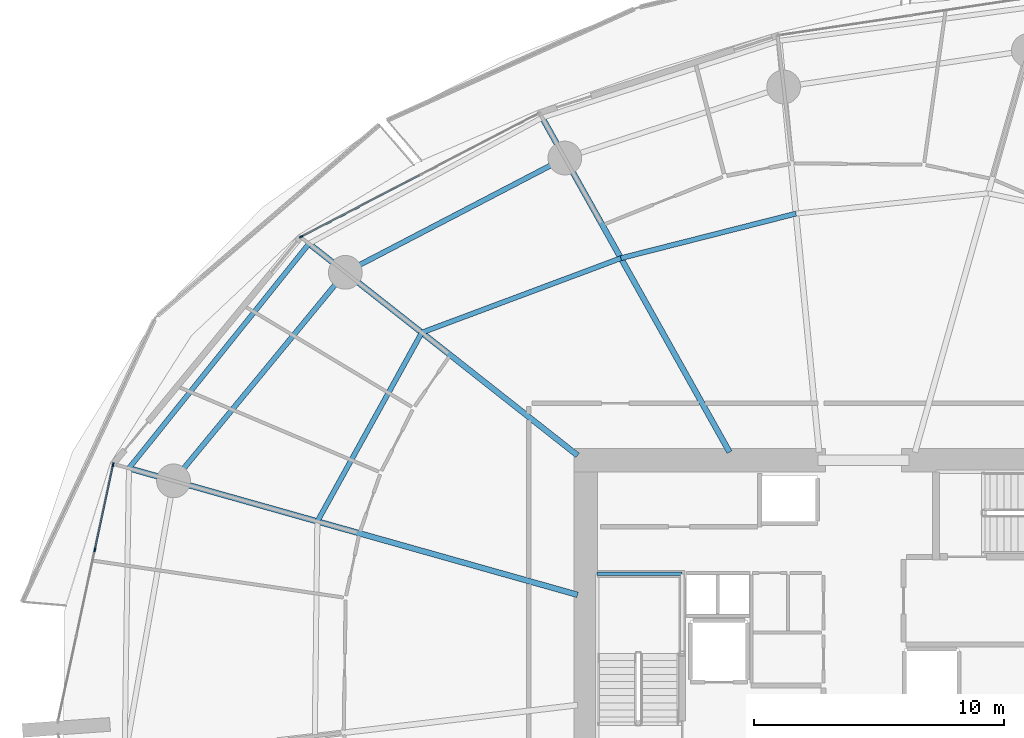
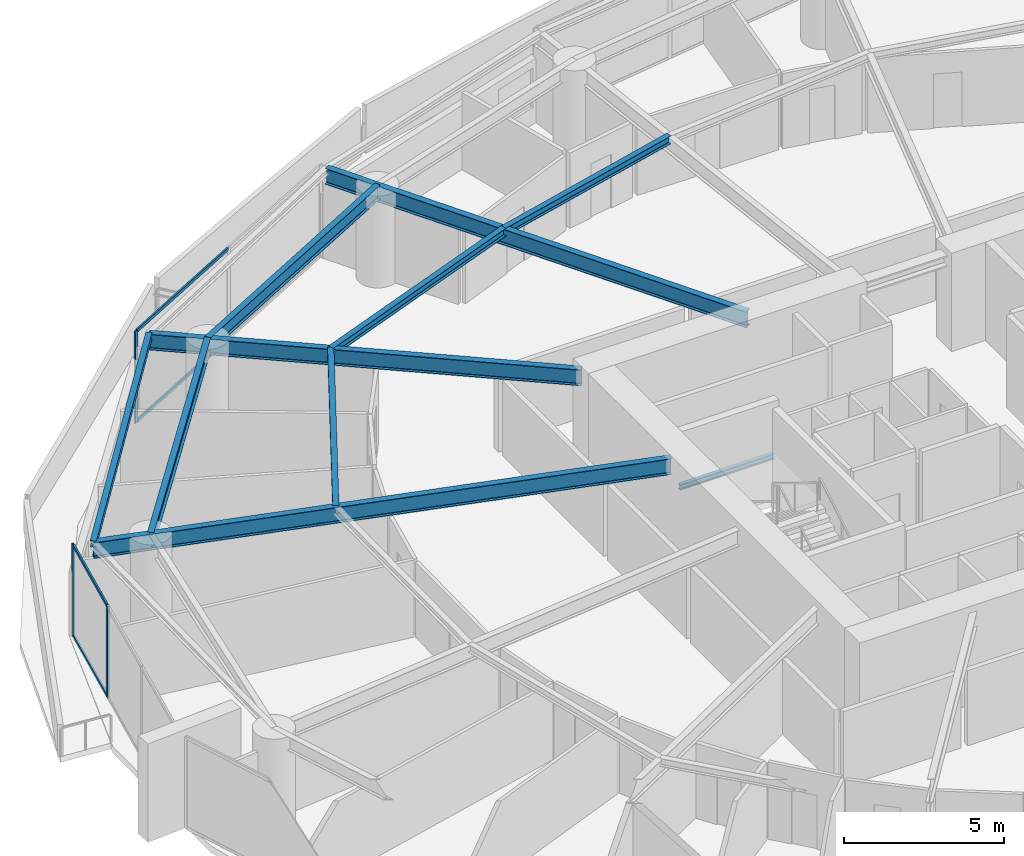
# One storey, part 12 of 31: 10 beams, 7 members, 2 elements without a shape of their own.
"""IFC4 building model written with IfcOpenShell, lengths in metres."""

import ifcopenshell
import ifcopenshell.guid

model = None  # the IFC model being written
_history = None  # IfcOwnerHistory: only IFC2X3 demands one
_inside = {}  # id of a spatial element -> (the spatial element, [elements in it])
_under = {}  # id of a project, library or spatial element -> (it, [spatial elements below it])
_declared = {}  # id of a project -> (the project, [libraries it declares])
_typed = {}  # id of a type object -> (the type object, [elements of that type])
_made_of = {}  # id of a material, layer set ... -> (it, [elements and type objects made of it])


def new_model(schema):
    """Start an empty IFC model of exactly this schema.

    Asked for "IFC4X3", IfcOpenShell would pick the latest addendum, in which some entities
    have other attributes; the version numbers below select the first issue.
    IFC2X3 requires an IfcOwnerHistory on every rooted entity: one is made here for all.
    """
    global model, _history
    if schema == "IFC4X3":
        model = ifcopenshell.file(schema_version=(4, 3, 0, 0))
    else:
        model = ifcopenshell.file(schema=schema)
    _inside.clear()
    _under.clear()
    _declared.clear()
    _typed.clear()
    _made_of.clear()
    _history = None
    if model.schema == "IFC2X3":
        org = make("IfcOrganization", Name="unknown")
        user = make(
            "IfcPersonAndOrganization",
            ThePerson=make("IfcPerson", FamilyName="unknown"),
            TheOrganization=org,
        )
        app = make(
            "IfcApplication",
            ApplicationDeveloper=org,
            Version="unknown",
            ApplicationFullName="unknown",
            ApplicationIdentifier="unknown",
        )
        _history = make(
            "IfcOwnerHistory",
            OwningUser=user,
            OwningApplication=app,
            ChangeAction="ADDED",
            CreationDate=0,
        )
    return model


def make(cls, **values):
    """One entity of the class cls with the attributes given. An attribute that is None is left unset."""
    return model.create_entity(
        cls, **{name: value for name, value in values.items() if value is not None}
    )


def rooted(cls, **values):
    """An entity with a GlobalId (a new one), such as an element, a storey or a relation."""
    return make(cls, GlobalId=ifcopenshell.guid.new(), OwnerHistory=_history, **values)


def si_unit(unit_type, name, prefix=None):
    """IfcSIUnit, for example si_unit("LENGTHUNIT", "METRE", prefix="MILLI")."""
    return make("IfcSIUnit", UnitType=unit_type, Prefix=prefix, Name=name)


def assignment(units):
    """IfcUnitAssignment: the units of a project."""
    return None if units is None else make("IfcUnitAssignment", Units=units)


def point(xyz):
    """IfcCartesianPoint."""
    return None if xyz is None else make("IfcCartesianPoint", Coordinates=xyz)


def direction(xyz):
    """IfcDirection."""
    return None if xyz is None else make("IfcDirection", DirectionRatios=xyz)


def frame(location, z_axis=None, x_axis=None):
    """IfcAxis2Placement3D, a coordinate frame: its origin and axes. An axis left out is left unset."""
    return make(
        "IfcAxis2Placement3D",
        Location=point(location),
        Axis=direction(z_axis),
        RefDirection=direction(x_axis),
    )


def frame_2d(location, x_axis=None):
    """IfcAxis2Placement2D, a coordinate frame in the plane: its origin and x axis."""
    return make(
        "IfcAxis2Placement2D", Location=point(location), RefDirection=direction(x_axis)
    )


def origin():
    """The frame at (0, 0, 0) with its axes left unset."""
    return frame((0.0, 0.0, 0.0))


def origin_2d():
    """The frame at (0, 0) in the plane with its x axis left unset."""
    return frame_2d((0.0, 0.0))


def place(relative_to, where):
    """IfcLocalPlacement: puts the frame where relative to a parent placement (None: the world)."""
    return make(
        "IfcLocalPlacement", PlacementRelTo=relative_to, RelativePlacement=where
    )


def context(
    kind, dimensions, precision=None, world=None, true_north=None, identifier=None
):
    """IfcGeometricRepresentationContext, for example the 3D "Model" context."""
    return make(
        "IfcGeometricRepresentationContext",
        ContextIdentifier=identifier,
        ContextType=kind,
        CoordinateSpaceDimension=dimensions,
        Precision=precision,
        WorldCoordinateSystem=world,
        TrueNorth=true_north,
    )


def subcontext(parent, identifier, kind, view, scale=None):
    """IfcGeometricRepresentationSubContext, for example "Body" below "Model"."""
    return make(
        "IfcGeometricRepresentationSubContext",
        ContextIdentifier=identifier,
        ContextType=kind,
        ParentContext=parent,
        TargetScale=scale,
        TargetView=view,
    )


def project(units=None, contexts=None):
    """IfcProject with its units and contexts."""
    return rooted(
        "IfcProject",
        Name="project",
        RepresentationContexts=contexts,
        UnitsInContext=assignment(units),
    )


def spatial(cls, under=None, at=None, **own):
    """A site, building, storey or space (cls), placed at a placement, below another one or the project."""
    s = rooted(cls, ObjectPlacement=at, **own)
    if under is not None:
        _under.setdefault(under.id(), (under, []))[1].append(s)
    return s


def profile(cls, at=None, kind="AREA", **sizes):
    """A parametric profile (cls). Its sizes go by their IFC names, for example OverallWidth=200.0."""
    return make(cls, ProfileType=kind, Position=at, **sizes)


def rectangle(**sizes):
    """IfcRectangleProfileDef."""
    return profile("IfcRectangleProfileDef", **sizes)


def i_section(**sizes):
    """IfcIShapeProfileDef."""
    return profile("IfcIShapeProfileDef", **sizes)


def extrude(swept, where, along, depth):
    """IfcExtrudedAreaSolid: the profile swept, set in the frame where, extruded along a direction by depth."""
    return make(
        "IfcExtrudedAreaSolid",
        SweptArea=swept,
        Position=where,
        ExtrudedDirection=direction(along),
        Depth=depth,
    )


def shape(context_of_items, identifier, shape_type, items):
    """IfcShapeRepresentation: the items that make up one representation, for example the "Body"."""
    return make(
        "IfcShapeRepresentation",
        ContextOfItems=context_of_items,
        RepresentationIdentifier=identifier,
        RepresentationType=shape_type,
        Items=items,
    )


def material(Name=None, Category=None):
    """IfcMaterial."""
    return make("IfcMaterial", Name=Name, Category=Category)


def layer(
    of_material, thickness, ventilated=None, Name=None, Category=None, Priority=None
):
    """IfcMaterialLayer: one layer of a wall or slab, of a material (None: an air gap)."""
    return make(
        "IfcMaterialLayer",
        Material=of_material,
        LayerThickness=thickness,
        IsVentilated=ventilated,
        Name=Name,
        Category=Category,
        Priority=Priority,
    )


def layer_set(layers, Name=None):
    """IfcMaterialLayerSet."""
    return make("IfcMaterialLayerSet", MaterialLayers=layers, LayerSetName=Name)


def material_profile(
    of_material, cross_section, Name=None, Category=None, Priority=None
):
    """IfcMaterialProfile: a cross section and its material."""
    return make(
        "IfcMaterialProfile",
        Name=Name,
        Material=of_material,
        Profile=cross_section,
        Priority=Priority,
        Category=Category,
    )


def profile_set(profiles, Name=None, composite=None):
    """IfcMaterialProfileSet."""
    return make(
        "IfcMaterialProfileSet",
        Name=Name,
        MaterialProfiles=profiles,
        CompositeProfile=composite,
    )


def made_of(thing, what):
    """Note that an element or type object is made of a material, layer set ...; save() writes the relation."""
    if what is not None:
        _made_of.setdefault(what.id(), (what, []))[1].append(thing)
    return thing


def type_object(cls, material=None, **own):
    """A type object (cls), such as IfcWallType, which elements share."""
    return made_of(rooted(cls, **own), material)


def element(
    cls,
    number,
    at=None,
    inside=None,
    cuts=None,
    type_object=None,
    material=None,
    context=None,
    identifier="Body",
    shape_type=None,
    held_by="IfcProductDefinitionShape",
    body=None,
    shapes=None,
    **own,
):
    """One element of the class cls, such as IfcWall. Its Tag is "e" and its number.

    at: its placement. inside: the storey or other place that contains it. cuts: it is an
    opening in that element (IfcRelVoidsElement). A single representation is given by context,
    identifier, shape_type and body (its items); several are given by shapes. held_by: the class
    of the entity that holds the representations. save() writes the other relations.
    """
    e = rooted(cls, Tag="e%d" % number, ObjectPlacement=at, **own)
    if body is not None:
        shapes = [shape(context, identifier, shape_type, body)]
    if shapes is not None:
        e.Representation = make(held_by, Representations=shapes)
    if inside is not None:
        _inside.setdefault(inside.id(), (inside, []))[1].append(e)
    if cuts is not None:
        rooted(
            "IfcRelVoidsElement", RelatingBuildingElement=cuts, RelatedOpeningElement=e
        )
    if type_object is not None:
        _typed.setdefault(type_object.id(), (type_object, []))[1].append(e)
    return made_of(e, material)


def aggregate(whole, parts):
    """IfcRelAggregates: a whole, such as a stair, and the parts it consists of."""
    return rooted("IfcRelAggregates", RelatingObject=whole, RelatedObjects=parts)


def save(model, path):
    """Write the relations noted so far, then the file.

    IfcRelAggregates (storeys below a building ...), IfcRelContainedInSpatialStructure (elements
    in a storey), IfcRelDefinesByType, IfcRelAssociatesMaterial and IfcRelDeclares: one each for
    every whole, place, type object, material and project.
    """
    for whole, parts in _under.values():
        aggregate(whole, parts)
    for where, things in _inside.values():
        rooted(
            "IfcRelContainedInSpatialStructure",
            RelatedElements=things,
            RelatingStructure=where,
        )
    for kind, things in _typed.values():
        rooted("IfcRelDefinesByType", RelatedObjects=things, RelatingType=kind)
    for what, things in _made_of.values():
        rooted("IfcRelAssociatesMaterial", RelatedObjects=things, RelatingMaterial=what)
    for by, libraries in _declared.values():
        rooted("IfcRelDeclares", RelatingContext=by, RelatedDefinitions=libraries)
    model.write(path)


model = new_model("IFC4")

# Units and contexts
model_context = context("Model", 3, precision=1e-05, world=origin(), true_north=direction((0.0, 1.0)))
body_context = subcontext(model_context, "Body", "Model", "MODEL_VIEW")
ifc_project = project(units=[si_unit("LENGTHUNIT", "METRE"), si_unit("AREAUNIT", "SQUARE_METRE"), si_unit("VOLUMEUNIT", "CUBIC_METRE"), si_unit("PLANEANGLEUNIT", "RADIAN"), si_unit("MASSUNIT", "GRAM", prefix="KILO")], contexts=[model_context])

# Site, building, storey
site_placement = place(None, origin())
site = spatial("IfcSite", under=ifc_project, at=site_placement, CompositionType="ELEMENT")
building_placement = place(site_placement, origin())
building = spatial("IfcBuilding", under=site, at=building_placement, Name="Kazma Halo Residences", CompositionType="ELEMENT")
storey_placement = place(building_placement, frame((0.0, 0.0, 30.14990234375)))
storey = spatial("IfcBuildingStorey", under=building, at=storey_placement, Name="L06", CompositionType="ELEMENT", Elevation=30.14990234375)

# Beams
ifc_material_1 = material(Name="Steel S355", Category="steel")
ifc_material_profile_1 = material_profile(ifc_material_1, i_section(OverallWidth=0.201904296875, OverallDepth=0.2470703125, WebThickness=0.00732421875, FlangeThickness=0.010986328125, FilletRadius=0.011962890625, at=origin_2d()), Name="W250x49.1")
ifc_profile_set_1 = profile_set([ifc_material_profile_1], Name="Steel S355")
beam_type_1 = type_object("IfcBeamType", Name="BM-BAL-CANT", PredefinedType="BEAM", material=ifc_profile_set_1)
beam_1_placement = place(storey_placement, frame((26.271484375, 59.12939453125, 3.376708984375), z_axis=(-0.625476617708, -0.780242911343, 0.0), x_axis=(0.780242911343, -0.625476617708, 0.0)))
element("IfcBeam", 1, at=beam_1_placement, inside=storey, type_object=beam_type_1, Name="L06 wave-balcony tie beam 06", PredefinedType="BEAM", context=body_context, shape_type="SweptSolid", body=[
    extrude(i_section(OverallWidth=0.201904296875, OverallDepth=0.2470703125, WebThickness=0.00732421875, FlangeThickness=0.010986328125, FilletRadius=0.011962890625, at=origin_2d()), origin(), (0.0, 0.0, 1.0), 11.499755859375),
])
ifc_material_profile_2 = material_profile(ifc_material_1, i_section(OverallWidth=0.22802734375, OverallDepth=0.60791015625, WebThickness=0.01123046875, FlangeThickness=0.017333984375, FilletRadius=0.01806640625, at=origin_2d()), Name="W610x113")
ifc_profile_set_2 = profile_set([ifc_material_profile_2], Name="Steel S355")
beam_type_2 = type_object("IfcBeamType", Name="BM-RAD-W610", PredefinedType="BEAM", material=ifc_profile_set_2)
beam_2_placement = place(storey_placement, frame((43.07177734375, 50.800048828125, 3.196044921875), z_axis=(-0.488624239587, 0.872494328055, 0.0), x_axis=(-0.872494328055, -0.488624239587, 0.0)))
element("IfcBeam", 2, at=beam_2_placement, inside=storey, type_object=beam_type_2, Name="L06 radial floor beam 05", PredefinedType="BEAM", context=body_context, shape_type="SweptSolid", body=[
    extrude(i_section(OverallWidth=0.22802734375, OverallDepth=0.60791015625, WebThickness=0.01123046875, FlangeThickness=0.017333984375, FilletRadius=0.01806640625, at=origin_2d()), origin(), (0.0, 0.0, 1.0), 15.316650390625),
])
beam_3_placement = place(storey_placement, frame((37.0, 50.671630859375, 3.196044921875), z_axis=(-0.78531394447, 0.619097737536, 0.0), x_axis=(-0.619097737536, -0.78531394447, 0.0)))
element("IfcBeam", 3, at=beam_3_placement, inside=storey, type_object=beam_type_2, Name="L06 radial floor beam 06", PredefinedType="BEAM", context=body_context, shape_type="SweptSolid", body=[
    extrude(i_section(OverallWidth=0.22802734375, OverallDepth=0.60791015625, WebThickness=0.01123046875, FlangeThickness=0.017333984375, FilletRadius=0.01806640625, at=origin_2d()), origin(), (0.0, 0.0, 1.0), 13.661376953125),
])
beam_4_placement = place(storey_placement, frame((37.0, 45.102294921875, 3.196044921875), z_axis=(-0.962453979784, 0.271444905641, 0.0), x_axis=(-0.271444905641, -0.962453979784, 0.0)))
element("IfcBeam", 4, at=beam_4_placement, inside=storey, type_object=beam_type_2, Name="L06 radial floor beam 07", PredefinedType="BEAM", context=body_context, shape_type="SweptSolid", body=[
    extrude(i_section(OverallWidth=0.22802734375, OverallDepth=0.60791015625, WebThickness=0.01123046875, FlangeThickness=0.017333984375, FilletRadius=0.01806640625, at=origin_2d()), origin(), (0.0, 0.0, 1.0), 18.62060546875),
])
ifc_material_profile_3 = material_profile(ifc_material_1, i_section(OverallWidth=0.202880859375, OverallDepth=0.302978515625, WebThickness=0.007568359375, FlangeThickness=0.01318359375, FilletRadius=0.013916015625, at=origin_2d()), Name="W310x60")
ifc_profile_set_3 = profile_set([ifc_material_profile_3], Name="Steel S355")
beam_type_3 = type_object("IfcBeamType", Name="BM-SEC-W310A", PredefinedType="JOIST", material=ifc_profile_set_3)
beam_5_placement = place(storey_placement, frame((45.7236328125, 60.329833984375, 3.3486328125), z_axis=(-0.969127021388, -0.246561993047, 0.0), x_axis=(0.246561993047, -0.969127021388, 0.0)))
element("IfcBeam", 5, at=beam_5_placement, inside=storey, type_object=beam_type_3, Name="L06 circumferential floor joist 04", PredefinedType="JOIST", context=body_context, shape_type="SweptSolid", body=[
    extrude(i_section(OverallWidth=0.202880859375, OverallDepth=0.302978515625, WebThickness=0.007568359375, FlangeThickness=0.01318359375, FilletRadius=0.013916015625, at=origin_2d()), origin(), (0.0, 0.0, 1.0), 7.21533203125),
])
beam_6_placement = place(storey_placement, frame((38.73095703125, 58.55078125, 3.3486328125), z_axis=(-0.936676104069, -0.350196910417, 0.0), x_axis=(0.350196910417, -0.936676104069, 0.0)))
element("IfcBeam", 6, at=beam_6_placement, inside=storey, type_object=beam_type_3, Name="L06 circumferential floor joist 05", PredefinedType="JOIST", context=body_context, shape_type="SweptSolid", body=[
    extrude(i_section(OverallWidth=0.202880859375, OverallDepth=0.302978515625, WebThickness=0.007568359375, FlangeThickness=0.01318359375, FilletRadius=0.013916015625, at=origin_2d()), origin(), (0.0, 0.0, 1.0), 8.4912109375),
])
beam_7_placement = place(storey_placement, frame((30.77734375, 55.5771484375, 3.3486328125), z_axis=(-0.483953872195, -0.875093509054, 0.0), x_axis=(0.875093509054, -0.483953872195, 0.0)))
element("IfcBeam", 7, at=beam_7_placement, inside=storey, type_object=beam_type_3, Name="L06 circumferential floor joist 06", PredefinedType="JOIST", context=body_context, shape_type="SweptSolid", body=[
    extrude(i_section(OverallWidth=0.202880859375, OverallDepth=0.302978515625, WebThickness=0.007568359375, FlangeThickness=0.01318359375, FilletRadius=0.013916015625, at=origin_2d()), origin(), (0.0, 0.0, 1.0), 8.619873046875),
])
ifc_material_profile_4 = material_profile(ifc_material_1, i_section(OverallWidth=0.208984375, OverallDepth=0.532958984375, WebThickness=0.01025390625, FlangeThickness=0.015625, FilletRadius=0.01611328125, at=origin_2d()), Name="W530x92")
ifc_profile_set_4 = profile_set([ifc_material_profile_4], Name="Steel S355")
beam_type_4 = type_object("IfcBeamType", Name="BM-SPN-W530", PredefinedType="BEAM", material=ifc_profile_set_4)
beam_8_placement = place(storey_placement, frame((36.49169921875, 62.549560546875, 3.233642578125), z_axis=(-0.886956241699, -0.461853467358, 0.0), x_axis=(0.461853467358, -0.886956241699, 0.0)))
element("IfcBeam", 8, at=beam_8_placement, inside=storey, type_object=beam_type_4, Name="L06 perimeter ring beam 05", PredefinedType="BEAM", context=body_context, shape_type="SweptSolid", body=[
    extrude(i_section(OverallWidth=0.208984375, OverallDepth=0.532958984375, WebThickness=0.01025390625, FlangeThickness=0.015625, FilletRadius=0.01611328125, at=origin_2d()), origin(), (0.0, 0.0, 1.0), 9.885009765625),
])
beam_9_placement = place(storey_placement, frame((27.72412109375, 57.984130859375, 3.233642578125), z_axis=(-0.636001336663, -0.771687954916, 0.0), x_axis=(0.771687954916, -0.636001336663, 0.0)))
element("IfcBeam", 9, at=beam_9_placement, inside=storey, type_object=beam_type_4, Name="L06 perimeter ring beam 06", PredefinedType="BEAM", context=body_context, shape_type="SweptSolid", body=[
    extrude(i_section(OverallWidth=0.208984375, OverallDepth=0.532958984375, WebThickness=0.01025390625, FlangeThickness=0.015625, FilletRadius=0.01611328125, at=origin_2d()), origin(), (0.0, 0.0, 1.0), 10.7939453125),
])
ifc_material_profile_5 = material_profile(ifc_material_1, i_section(OverallWidth=0.133056640625, OverallDepth=0.20703125, WebThickness=0.005859375, FlangeThickness=0.00830078125, FilletRadius=0.010009765625, at=origin_2d()), Name="W200x26.6")
ifc_profile_set_5 = profile_set([ifc_material_profile_5], Name="Steel S355")
beam_type_5 = type_object("IfcBeamType", Name="BM-TRIM-W200", PredefinedType="BEAM", material=ifc_profile_set_5)
beam_10_placement = place(storey_placement, frame((37.780029296875, 45.93994140625, 1.570068359375), z_axis=(1.0, 0.0, 0.0), x_axis=(0.0, 1.0, 0.0)))
element("IfcBeam", 10, at=beam_10_placement, inside=storey, type_object=beam_type_5, Name="L06 ST-01 landing end wall ledger", PredefinedType="BEAM", context=body_context, shape_type="SweptSolid", body=[
    extrude(i_section(OverallWidth=0.133056640625, OverallDepth=0.20703125, WebThickness=0.005859375, FlangeThickness=0.00830078125, FilletRadius=0.010009765625, at=origin_2d()), origin(), (0.0, 0.0, 1.0), 3.39990234375),
])

# Curtain wall, member
ifc_material_2 = material(Name="Aluminium AW-6063 T6 and Triple-Silver Low-E Glass", Category="aluminium")
ifc_layer = layer(ifc_material_2, 0.159912109375)
ifc_layer_set = layer_set([ifc_layer], Name="Aluminium AW-6063 T6 and Triple-Silver Low-E Glass")
curtain_wall_type = type_object("IfcCurtainWallType", Name="CW-SYS-2", PredefinedType="NOTDEFINED", material=ifc_layer_set)
curtain_wall_1_placement = place(storey_placement, origin())
curtain_wall_1 = element("IfcCurtainWall", 11, at=curtain_wall_1_placement, inside=storey, type_object=curtain_wall_type, Name="L06 unitised curtain wall B05", PredefinedType="NOTDEFINED")
ifc_material_3 = material(Name="Aluminium AW-6063 T6", Category="aluminium")
ifc_material_profile_6 = material_profile(ifc_material_3, rectangle(XDim=0.06005859375, YDim=0.159912109375, at=origin_2d()), Name="CWM-60x160")
ifc_profile_set_6 = profile_set([ifc_material_profile_6], Name="Aluminium AW-6063 T6")
member_type_1 = type_object("IfcMemberType", Name="CW-SYS-2-MUL", PredefinedType="MULLION", material=ifc_profile_set_6)
member_1_placement = place(storey_placement, frame((25.96142578125, 59.408447265625, 0.0), z_axis=(0.0, 0.0, 1.0), x_axis=(0.460995912628, -0.887402258584, 0.0)))
member_1 = element("IfcMember", 12, at=member_1_placement, type_object=member_type_1, Name="CWS-2 mullion 3", PredefinedType="MULLION", context=body_context, shape_type="SweptSolid", body=[
    extrude(rectangle(XDim=0.06005859375, YDim=0.159912109375, at=origin_2d()), origin(), (0.0, 0.0, 1.0), 3.5),
])

# Curtain wall, members
curtain_wall_2_placement = place(storey_placement, origin())
curtain_wall_2 = element("IfcCurtainWall", 13, at=curtain_wall_2_placement, inside=storey, type_object=curtain_wall_type, Name="L06 unitised curtain wall B07", PredefinedType="NOTDEFINED")
member_2_placement = place(storey_placement, frame((18.447021484375, 50.3037109375, 0.0), z_axis=(0.0, 0.0, 1.0), x_axis=(0.977779215096, -0.209637321406, 0.0)))
member_2 = element("IfcMember", 14, at=member_2_placement, type_object=member_type_1, Name="CWS-2 mullion 1", PredefinedType="MULLION", context=body_context, shape_type="SweptSolid", body=[
    extrude(rectangle(XDim=0.06005859375, YDim=0.159912109375, at=origin_2d()), origin(), (0.0, 0.0, 1.0), 3.5),
])
member_3_placement = place(storey_placement, frame((17.717041015625, 46.898681640625, 0.0), z_axis=(0.0, 0.0, 1.0), x_axis=(0.977779215096, -0.209637321406, 0.0)))
member_3 = element("IfcMember", 15, at=member_3_placement, type_object=member_type_1, Name="CWS-2 mullion 2", PredefinedType="MULLION", context=body_context, shape_type="SweptSolid", body=[
    extrude(rectangle(XDim=0.06005859375, YDim=0.159912109375, at=origin_2d()), origin(), (0.0, 0.0, 1.0), 3.5),
])

# Member
ifc_material_profile_7 = material_profile(ifc_material_3, rectangle(XDim=0.06005859375, YDim=0.1201171875, at=origin_2d()), Name="CWT-60x120")
ifc_profile_set_7 = profile_set([ifc_material_profile_7], Name="Aluminium AW-6063 T6")
member_type_2 = type_object("IfcMemberType", Name="CW-SYS-2-TRN", PredefinedType="USERDEFINED", material=ifc_profile_set_7)
member_4_placement = place(storey_placement, frame((30.681396484375, 61.8603515625, 0.030029296875), z_axis=(-0.887414738583, -0.460971888238, 0.0), x_axis=(0.460971888238, -0.887414738583, 0.0)))
member_4 = element("IfcMember", 16, at=member_4_placement, type_object=member_type_2, Name="CWS-2 transom 2.1", ObjectType="TRANSOM", PredefinedType="USERDEFINED", context=body_context, shape_type="SweptSolid", body=[
    extrude(rectangle(XDim=0.06005859375, YDim=0.1201171875, at=origin_2d()), origin(), (0.0, 0.0, 1.0), 5.288818359375),
])

member_5_placement = place(storey_placement, frame((30.681396484375, 61.8603515625, 3.47021484375), z_axis=(-0.887414738583, -0.460971888238, 0.0), x_axis=(0.460971888238, -0.887414738583, 0.0)))
member_5 = element("IfcMember", 17, at=member_5_placement, type_object=member_type_2, Name="CWS-2 transom 2.2", ObjectType="TRANSOM", PredefinedType="USERDEFINED", context=body_context, shape_type="SweptSolid", body=[
    extrude(rectangle(XDim=0.06005859375, YDim=0.1201171875, at=origin_2d()), origin(), (0.0, 0.0, 1.0), 5.288818359375),
])

aggregate(curtain_wall_1, [member_1, member_4, member_5])

member_6_placement = place(storey_placement, frame((18.440673828125, 50.2744140625, 0.030029296875), z_axis=(-0.209650877007, -0.977776308657, 0.0), x_axis=(0.977776308657, -0.209650877007, 0.0)))
member_6 = element("IfcMember", 18, at=member_6_placement, type_object=member_type_2, Name="CWS-2 transom 1.1", ObjectType="TRANSOM", PredefinedType="USERDEFINED", context=body_context, shape_type="SweptSolid", body=[
    extrude(rectangle(XDim=0.06005859375, YDim=0.1201171875, at=origin_2d()), origin(), (0.0, 0.0, 1.0), 3.422607421875),
])

member_7_placement = place(storey_placement, frame((18.440673828125, 50.2744140625, 3.47021484375), z_axis=(-0.209650877007, -0.977776308657, 0.0), x_axis=(0.977776308657, -0.209650877007, 0.0)))
member_7 = element("IfcMember", 19, at=member_7_placement, type_object=member_type_2, Name="CWS-2 transom 1.2", ObjectType="TRANSOM", PredefinedType="USERDEFINED", context=body_context, shape_type="SweptSolid", body=[
    extrude(rectangle(XDim=0.06005859375, YDim=0.1201171875, at=origin_2d()), origin(), (0.0, 0.0, 1.0), 3.422607421875),
])

aggregate(curtain_wall_2, [member_2, member_3, member_6, member_7])

save(model, "model.ifc")
